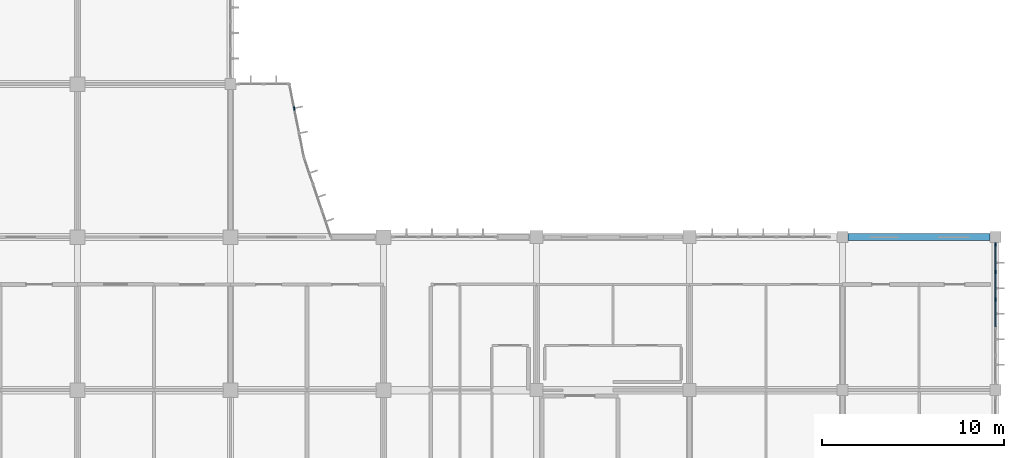
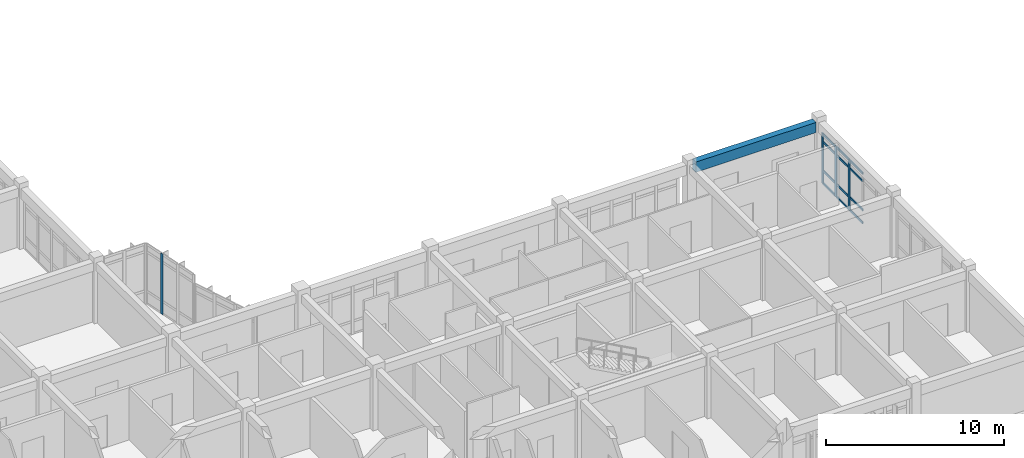
# One storey, part 61 of 144: 16 members, 1 beam, 2 elements without a shape of their own.
"""IFC4 building model written with IfcOpenShell, lengths in metres."""

from ifc_helpers import new_model, si_unit, direction, frame, origin, origin_2d, place, context, subcontext, project, spatial, rectangle, extrude, material, layer, layer_set, material_profile, profile_set, type_object, element, aggregate, save


model = new_model("IFC4")

# Units and contexts
model_context = context("Model", 3, precision=1e-05, world=origin(), true_north=direction((0.0, 1.0)))
body_context = subcontext(model_context, "Body", "Model", "MODEL_VIEW")
ifc_project = project(units=[si_unit("LENGTHUNIT", "METRE"), si_unit("AREAUNIT", "SQUARE_METRE"), si_unit("VOLUMEUNIT", "CUBIC_METRE"), si_unit("PLANEANGLEUNIT", "RADIAN"), si_unit("MASSUNIT", "GRAM", prefix="KILO")], contexts=[model_context])

# Site, building, storey
site_placement = place(None, origin())
site = spatial("IfcSite", under=ifc_project, at=site_placement, CompositionType="ELEMENT")
building_placement = place(site_placement, origin())
building = spatial("IfcBuilding", under=site, at=building_placement, Name="Bramfleet General Hospital", CompositionType="ELEMENT")
storey_placement = place(building_placement, frame((0.0, 0.0, 4.800048828125)))
storey = spatial("IfcBuildingStorey", under=building, at=storey_placement, Name="L01", CompositionType="ELEMENT", Elevation=4.800048828125)

# Beam
ifc_material_1 = material(Name="Concrete C35/45", Category="concrete")
ifc_material_profile_1 = material_profile(ifc_material_1, rectangle(XDim=0.39990234375, YDim=0.699951171875, at=origin_2d()), Name="RC SP 700x400")
ifc_profile_set_1 = profile_set([ifc_material_profile_1], Name="Concrete C35/45")
beam_type = type_object("IfcBeamType", Name="BM-SP700", PredefinedType="SPANDREL", material=ifc_profile_set_1)
beam_placement = place(storey_placement, frame((159.89990234375, 25.199951171875, 3.800048828125), z_axis=(1.0, 0.0, 0.0), x_axis=(0.0, 1.0, 0.0)))
element("IfcBeam", 1, at=beam_placement, inside=storey, type_object=beam_type, Name="L01 Grid Beam X 19-03", PredefinedType="SPANDREL", context=body_context, shape_type="SweptSolid", body=[
    extrude(rectangle(XDim=0.39990234375, YDim=0.699951171875, at=origin_2d()), origin(), (0.0, 0.0, 1.0), 7.800048828125),
])

# Curtain wall, member
ifc_material_2 = material(Name="Anodised aluminium and low-E triple glazing", Category="aluminium")
ifc_layer_1 = layer(ifc_material_2, 0.179931640625, Name="CWT-CW-12")
ifc_layer_set_1 = layer_set([ifc_layer_1], Name="Anodised aluminium and low-E triple glazing")
curtain_wall_type_1 = type_object("IfcCurtainWallType", Name="CWT-CW-12", PredefinedType="USERDEFINED", material=ifc_layer_set_1)
curtain_wall_1_placement = place(storey_placement, origin())
curtain_wall_1 = element("IfcCurtainWall", 2, at=curtain_wall_1_placement, inside=storey, type_object=curtain_wall_type_1, Name="L01 Curtain Wall 66", ObjectType="Stick curtain wall", PredefinedType="USERDEFINED")
ifc_material_3 = material(Name="Structural timber GL28h", Category="wood")
ifc_material_profile_2 = material_profile(ifc_material_3, rectangle(XDim=0.070068359375, YDim=0.18994140625, at=origin_2d()), Name="LARCH 190x70")
ifc_profile_set_2 = profile_set([ifc_material_profile_2], Name="Structural timber GL28h")
member_type_1 = type_object("IfcMemberType", Name="CWM-LARCH450", PredefinedType="MULLION", material=ifc_profile_set_2)
member_1_placement = place(storey_placement, frame((129.501953125, 32.259033203125, 0.0), z_axis=(0.0, 0.0, 1.0), x_axis=(0.980749087161, 0.195272189606, 0.0)))
member_1 = element("IfcMember", 3, at=member_1_placement, type_object=member_type_1, Name="CW-12 mullion 2", PredefinedType="MULLION", context=body_context, shape_type="SweptSolid", body=[
    extrude(rectangle(XDim=0.070068359375, YDim=0.18994140625, at=origin_2d()), origin(), (0.0, 0.0, 1.0), 4.139892578125),
])
aggregate(curtain_wall_1, [member_1])

# Curtain wall, members
ifc_layer_2 = layer(ifc_material_2, 0.179931640625, Name="CWT-CW-16")
ifc_layer_set_2 = layer_set([ifc_layer_2], Name="Anodised aluminium and low-E triple glazing")
curtain_wall_type_2 = type_object("IfcCurtainWallType", Name="CWT-CW-16", PredefinedType="USERDEFINED", material=ifc_layer_set_2)
curtain_wall_2_placement = place(storey_placement, origin())
curtain_wall_2 = element("IfcCurtainWall", 4, at=curtain_wall_2_placement, inside=storey, type_object=curtain_wall_type_2, Name="L01 Curtain Wall 70", ObjectType="Stick curtain wall", PredefinedType="USERDEFINED")
member_2_placement = place(storey_placement, frame((168.0, 24.7900390625, 0.0), z_axis=(0.0, 0.0, 1.0), x_axis=(1.0, 0.0, 0.0)))
member_2 = element("IfcMember", 5, at=member_2_placement, type_object=member_type_1, Name="CW-16 mullion 1", PredefinedType="MULLION", context=body_context, shape_type="SweptSolid", body=[
    extrude(rectangle(XDim=0.070068359375, YDim=0.18994140625, at=origin_2d()), origin(), (0.0, 0.0, 1.0), 3.43994140625),
])
member_3_placement = place(storey_placement, frame((168.0, 23.294921875, 0.0), z_axis=(0.0, 0.0, 1.0), x_axis=(1.0, 0.0, 0.0)))
member_3 = element("IfcMember", 6, at=member_3_placement, type_object=member_type_1, Name="CW-16 mullion 2", PredefinedType="MULLION", context=body_context, shape_type="SweptSolid", body=[
    extrude(rectangle(XDim=0.070068359375, YDim=0.18994140625, at=origin_2d()), origin(), (0.0, 0.0, 1.0), 3.43994140625),
])
member_4_placement = place(storey_placement, frame((168.0, 21.764892578125, 0.0), z_axis=(0.0, 0.0, 1.0), x_axis=(1.0, 0.0, 0.0)))
member_4 = element("IfcMember", 7, at=member_4_placement, type_object=member_type_1, Name="CW-16 mullion 3", PredefinedType="MULLION", context=body_context, shape_type="SweptSolid", body=[
    extrude(rectangle(XDim=0.070068359375, YDim=0.18994140625, at=origin_2d()), origin(), (0.0, 0.0, 1.0), 3.43994140625),
])
ifc_material_profile_3 = material_profile(ifc_material_3, rectangle(XDim=0.06494140625, YDim=0.14990234375, at=origin_2d()), Name="LARCH 150x65")
ifc_profile_set_3 = profile_set([ifc_material_profile_3], Name="Structural timber GL28h")
member_type_2 = type_object("IfcMemberType", Name="CWT-LARCH220", PredefinedType="USERDEFINED", material=ifc_profile_set_3)
member_5_placement = place(storey_placement, frame((168.0, 24.7548828125, 0.032470703125), z_axis=(0.0, -1.0, 0.0), x_axis=(1.0, 0.0, 0.0)))
member_5 = element("IfcMember", 8, at=member_5_placement, type_object=member_type_2, Name="CW-16 transom 1.1", ObjectType="TRANSOM", PredefinedType="USERDEFINED", context=body_context, shape_type="SweptSolid", body=[
    extrude(rectangle(XDim=0.06494140625, YDim=0.14990234375, at=origin_2d()), origin(), (0.0, 0.0, 1.0), 1.4248046875),
])
member_6_placement = place(storey_placement, frame((168.0, 24.7548828125, 0.89990234375), z_axis=(0.0, -1.0, 0.0), x_axis=(1.0, 0.0, 0.0)))
member_6 = element("IfcMember", 9, at=member_6_placement, type_object=member_type_2, Name="CW-16 transom 1.2", ObjectType="TRANSOM", PredefinedType="USERDEFINED", context=body_context, shape_type="SweptSolid", body=[
    extrude(rectangle(XDim=0.06494140625, YDim=0.14990234375, at=origin_2d()), origin(), (0.0, 0.0, 1.0), 1.4248046875),
])
member_7_placement = place(storey_placement, frame((168.0, 24.7548828125, 2.889892578125), z_axis=(0.0, -1.0, 0.0), x_axis=(1.0, 0.0, 0.0)))
member_7 = element("IfcMember", 10, at=member_7_placement, type_object=member_type_2, Name="CW-16 transom 1.3", ObjectType="TRANSOM", PredefinedType="USERDEFINED", context=body_context, shape_type="SweptSolid", body=[
    extrude(rectangle(XDim=0.06494140625, YDim=0.14990234375, at=origin_2d()), origin(), (0.0, 0.0, 1.0), 1.4248046875),
])
member_8_placement = place(storey_placement, frame((168.0, 24.7548828125, 3.407470703125), z_axis=(0.0, -1.0, 0.0), x_axis=(1.0, 0.0, 0.0)))
member_8 = element("IfcMember", 11, at=member_8_placement, type_object=member_type_2, Name="CW-16 transom 1.4", ObjectType="TRANSOM", PredefinedType="USERDEFINED", context=body_context, shape_type="SweptSolid", body=[
    extrude(rectangle(XDim=0.06494140625, YDim=0.14990234375, at=origin_2d()), origin(), (0.0, 0.0, 1.0), 1.4248046875),
])
member_9_placement = place(storey_placement, frame((168.0, 23.260009765625, 0.032470703125), z_axis=(0.0, -1.0, 0.0), x_axis=(1.0, 0.0, 0.0)))
member_9 = element("IfcMember", 12, at=member_9_placement, type_object=member_type_2, Name="CW-16 transom 2.1", ObjectType="TRANSOM", PredefinedType="USERDEFINED", context=body_context, shape_type="SweptSolid", body=[
    extrude(rectangle(XDim=0.06494140625, YDim=0.14990234375, at=origin_2d()), origin(), (0.0, 0.0, 1.0), 1.4599609375),
])
member_10_placement = place(storey_placement, frame((168.0, 23.260009765625, 0.89990234375), z_axis=(0.0, -1.0, 0.0), x_axis=(1.0, 0.0, 0.0)))
member_10 = element("IfcMember", 13, at=member_10_placement, type_object=member_type_2, Name="CW-16 transom 2.2", ObjectType="TRANSOM", PredefinedType="USERDEFINED", context=body_context, shape_type="SweptSolid", body=[
    extrude(rectangle(XDim=0.06494140625, YDim=0.14990234375, at=origin_2d()), origin(), (0.0, 0.0, 1.0), 1.4599609375),
])
member_11_placement = place(storey_placement, frame((168.0, 23.260009765625, 2.889892578125), z_axis=(0.0, -1.0, 0.0), x_axis=(1.0, 0.0, 0.0)))
member_11 = element("IfcMember", 14, at=member_11_placement, type_object=member_type_2, Name="CW-16 transom 2.3", ObjectType="TRANSOM", PredefinedType="USERDEFINED", context=body_context, shape_type="SweptSolid", body=[
    extrude(rectangle(XDim=0.06494140625, YDim=0.14990234375, at=origin_2d()), origin(), (0.0, 0.0, 1.0), 1.4599609375),
])
member_12_placement = place(storey_placement, frame((168.0, 23.260009765625, 3.407470703125), z_axis=(0.0, -1.0, 0.0), x_axis=(1.0, 0.0, 0.0)))
member_12 = element("IfcMember", 15, at=member_12_placement, type_object=member_type_2, Name="CW-16 transom 2.4", ObjectType="TRANSOM", PredefinedType="USERDEFINED", context=body_context, shape_type="SweptSolid", body=[
    extrude(rectangle(XDim=0.06494140625, YDim=0.14990234375, at=origin_2d()), origin(), (0.0, 0.0, 1.0), 1.4599609375),
])
member_13_placement = place(storey_placement, frame((168.0, 21.72998046875, 0.032470703125), z_axis=(0.0, -1.0, 0.0), x_axis=(1.0, 0.0, 0.0)))
member_13 = element("IfcMember", 16, at=member_13_placement, type_object=member_type_2, Name="CW-16 transom 3.1", ObjectType="TRANSOM", PredefinedType="USERDEFINED", context=body_context, shape_type="SweptSolid", body=[
    extrude(rectangle(XDim=0.06494140625, YDim=0.14990234375, at=origin_2d()), origin(), (0.0, 0.0, 1.0), 1.4599609375),
])
member_14_placement = place(storey_placement, frame((168.0, 21.72998046875, 0.89990234375), z_axis=(0.0, -1.0, 0.0), x_axis=(1.0, 0.0, 0.0)))
member_14 = element("IfcMember", 17, at=member_14_placement, type_object=member_type_2, Name="CW-16 transom 3.2", ObjectType="TRANSOM", PredefinedType="USERDEFINED", context=body_context, shape_type="SweptSolid", body=[
    extrude(rectangle(XDim=0.06494140625, YDim=0.14990234375, at=origin_2d()), origin(), (0.0, 0.0, 1.0), 1.4599609375),
])
member_15_placement = place(storey_placement, frame((168.0, 21.72998046875, 2.889892578125), z_axis=(0.0, -1.0, 0.0), x_axis=(1.0, 0.0, 0.0)))
member_15 = element("IfcMember", 18, at=member_15_placement, type_object=member_type_2, Name="CW-16 transom 3.3", ObjectType="TRANSOM", PredefinedType="USERDEFINED", context=body_context, shape_type="SweptSolid", body=[
    extrude(rectangle(XDim=0.06494140625, YDim=0.14990234375, at=origin_2d()), origin(), (0.0, 0.0, 1.0), 1.4599609375),
])
member_16_placement = place(storey_placement, frame((168.0, 21.72998046875, 3.407470703125), z_axis=(0.0, -1.0, 0.0), x_axis=(1.0, 0.0, 0.0)))
member_16 = element("IfcMember", 19, at=member_16_placement, type_object=member_type_2, Name="CW-16 transom 3.4", ObjectType="TRANSOM", PredefinedType="USERDEFINED", context=body_context, shape_type="SweptSolid", body=[
    extrude(rectangle(XDim=0.06494140625, YDim=0.14990234375, at=origin_2d()), origin(), (0.0, 0.0, 1.0), 1.4599609375),
])
aggregate(curtain_wall_2, [member_2, member_3, member_4, member_5, member_6, member_7, member_8, member_9, member_10, member_11, member_12, member_13, member_14, member_15, member_16])

save(model, "model.ifc")
